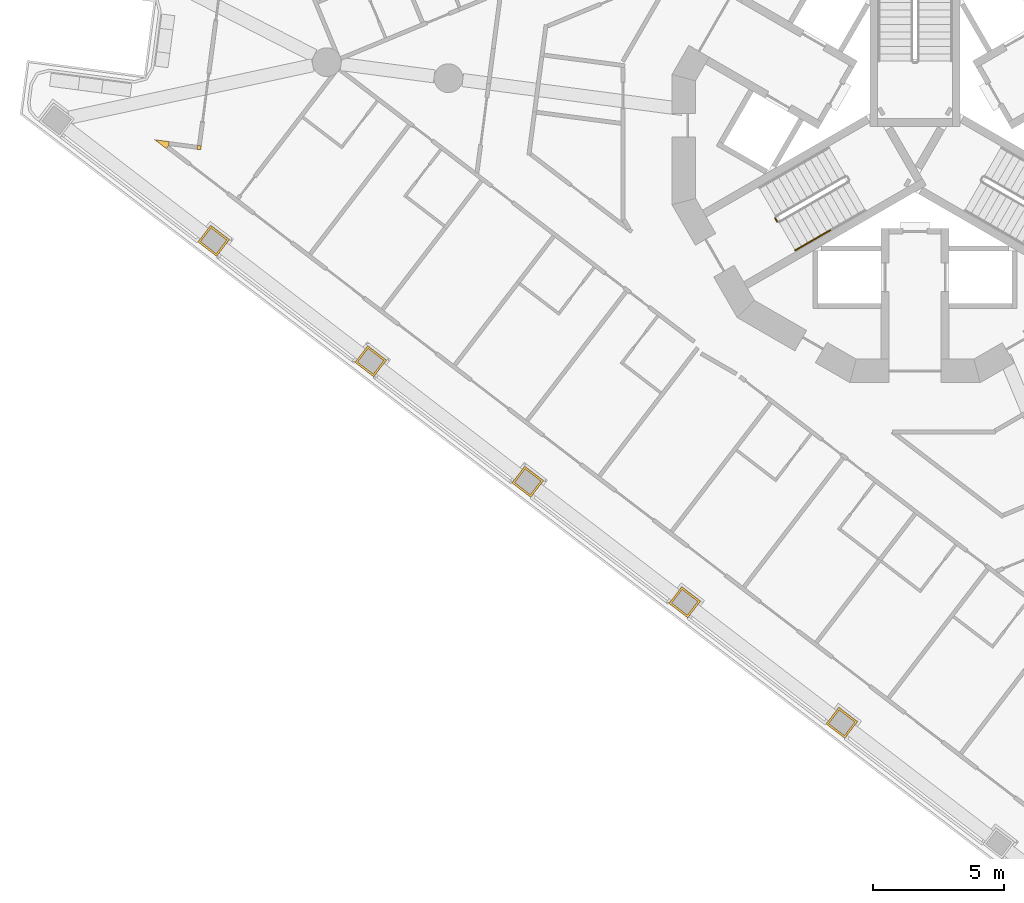
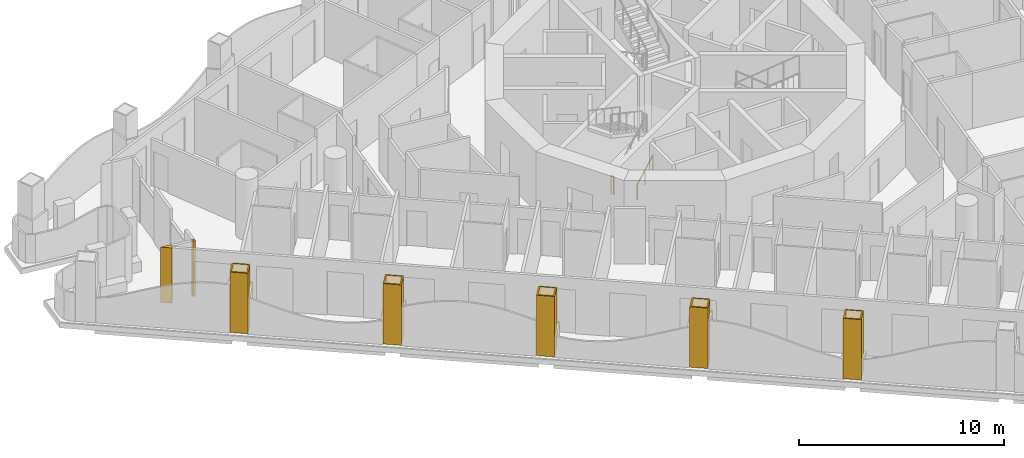
# One storey, part 11 of 17: 7 coverings, 2 railings.
"""IFC4 building model written with IfcOpenShell, lengths in metres."""

import ifcopenshell
import ifcopenshell.guid

model = None  # the IFC model being written
_history = None  # IfcOwnerHistory: only IFC2X3 demands one
_inside = {}  # id of a spatial element -> (the spatial element, [elements in it])
_under = {}  # id of a project, library or spatial element -> (it, [spatial elements below it])
_declared = {}  # id of a project -> (the project, [libraries it declares])
_typed = {}  # id of a type object -> (the type object, [elements of that type])
_made_of = {}  # id of a material, layer set ... -> (it, [elements and type objects made of it])


def new_model(schema):
    """Start an empty IFC model of exactly this schema.

    Asked for "IFC4X3", IfcOpenShell would pick the latest addendum, in which some entities
    have other attributes; the version numbers below select the first issue.
    IFC2X3 requires an IfcOwnerHistory on every rooted entity: one is made here for all.
    """
    global model, _history
    if schema == "IFC4X3":
        model = ifcopenshell.file(schema_version=(4, 3, 0, 0))
    else:
        model = ifcopenshell.file(schema=schema)
    _inside.clear()
    _under.clear()
    _declared.clear()
    _typed.clear()
    _made_of.clear()
    _history = None
    if model.schema == "IFC2X3":
        org = make("IfcOrganization", Name="unknown")
        user = make(
            "IfcPersonAndOrganization",
            ThePerson=make("IfcPerson", FamilyName="unknown"),
            TheOrganization=org,
        )
        app = make(
            "IfcApplication",
            ApplicationDeveloper=org,
            Version="unknown",
            ApplicationFullName="unknown",
            ApplicationIdentifier="unknown",
        )
        _history = make(
            "IfcOwnerHistory",
            OwningUser=user,
            OwningApplication=app,
            ChangeAction="ADDED",
            CreationDate=0,
        )
    return model


def make(cls, **values):
    """One entity of the class cls with the attributes given. An attribute that is None is left unset."""
    return model.create_entity(
        cls, **{name: value for name, value in values.items() if value is not None}
    )


def rooted(cls, **values):
    """An entity with a GlobalId (a new one), such as an element, a storey or a relation."""
    return make(cls, GlobalId=ifcopenshell.guid.new(), OwnerHistory=_history, **values)


def si_unit(unit_type, name, prefix=None):
    """IfcSIUnit, for example si_unit("LENGTHUNIT", "METRE", prefix="MILLI")."""
    return make("IfcSIUnit", UnitType=unit_type, Prefix=prefix, Name=name)


def assignment(units):
    """IfcUnitAssignment: the units of a project."""
    return None if units is None else make("IfcUnitAssignment", Units=units)


def point(xyz):
    """IfcCartesianPoint."""
    return None if xyz is None else make("IfcCartesianPoint", Coordinates=xyz)


def direction(xyz):
    """IfcDirection."""
    return None if xyz is None else make("IfcDirection", DirectionRatios=xyz)


def frame(location, z_axis=None, x_axis=None):
    """IfcAxis2Placement3D, a coordinate frame: its origin and axes. An axis left out is left unset."""
    return make(
        "IfcAxis2Placement3D",
        Location=point(location),
        Axis=direction(z_axis),
        RefDirection=direction(x_axis),
    )


def frame_2d(location, x_axis=None):
    """IfcAxis2Placement2D, a coordinate frame in the plane: its origin and x axis."""
    return make(
        "IfcAxis2Placement2D", Location=point(location), RefDirection=direction(x_axis)
    )


def origin():
    """The frame at (0, 0, 0) with its axes left unset."""
    return frame((0.0, 0.0, 0.0))


def origin_2d():
    """The frame at (0, 0) in the plane with its x axis left unset."""
    return frame_2d((0.0, 0.0))


def place(relative_to, where):
    """IfcLocalPlacement: puts the frame where relative to a parent placement (None: the world)."""
    return make(
        "IfcLocalPlacement", PlacementRelTo=relative_to, RelativePlacement=where
    )


def context(
    kind, dimensions, precision=None, world=None, true_north=None, identifier=None
):
    """IfcGeometricRepresentationContext, for example the 3D "Model" context."""
    return make(
        "IfcGeometricRepresentationContext",
        ContextIdentifier=identifier,
        ContextType=kind,
        CoordinateSpaceDimension=dimensions,
        Precision=precision,
        WorldCoordinateSystem=world,
        TrueNorth=true_north,
    )


def subcontext(parent, identifier, kind, view, scale=None):
    """IfcGeometricRepresentationSubContext, for example "Body" below "Model"."""
    return make(
        "IfcGeometricRepresentationSubContext",
        ContextIdentifier=identifier,
        ContextType=kind,
        ParentContext=parent,
        TargetScale=scale,
        TargetView=view,
    )


def project(units=None, contexts=None):
    """IfcProject with its units and contexts."""
    return rooted(
        "IfcProject",
        Name="project",
        RepresentationContexts=contexts,
        UnitsInContext=assignment(units),
    )


def spatial(cls, under=None, at=None, **own):
    """A site, building, storey or space (cls), placed at a placement, below another one or the project."""
    s = rooted(cls, ObjectPlacement=at, **own)
    if under is not None:
        _under.setdefault(under.id(), (under, []))[1].append(s)
    return s


def polyline(points):
    """IfcPolyline through the points."""
    return make("IfcPolyline", Points=[point(p) for p in points])


def profile(cls, at=None, kind="AREA", **sizes):
    """A parametric profile (cls). Its sizes go by their IFC names, for example OverallWidth=200.0."""
    return make(cls, ProfileType=kind, Position=at, **sizes)


def circle(**sizes):
    """IfcCircleProfileDef."""
    return profile("IfcCircleProfileDef", **sizes)


def outline(outer, holes=None, kind="AREA"):
    """IfcArbitraryClosedProfileDef: a profile drawn as a closed curve; with holes, ...WithVoids."""
    if holes is None:
        return make("IfcArbitraryClosedProfileDef", ProfileType=kind, OuterCurve=outer)
    return make(
        "IfcArbitraryProfileDefWithVoids",
        ProfileType=kind,
        OuterCurve=outer,
        InnerCurves=holes,
    )


def extrude(swept, where, along, depth):
    """IfcExtrudedAreaSolid: the profile swept, set in the frame where, extruded along a direction by depth."""
    return make(
        "IfcExtrudedAreaSolid",
        SweptArea=swept,
        Position=where,
        ExtrudedDirection=direction(along),
        Depth=depth,
    )


def shape(context_of_items, identifier, shape_type, items):
    """IfcShapeRepresentation: the items that make up one representation, for example the "Body"."""
    return make(
        "IfcShapeRepresentation",
        ContextOfItems=context_of_items,
        RepresentationIdentifier=identifier,
        RepresentationType=shape_type,
        Items=items,
    )


def material(Name=None, Category=None):
    """IfcMaterial."""
    return make("IfcMaterial", Name=Name, Category=Category)


def layer(
    of_material, thickness, ventilated=None, Name=None, Category=None, Priority=None
):
    """IfcMaterialLayer: one layer of a wall or slab, of a material (None: an air gap)."""
    return make(
        "IfcMaterialLayer",
        Material=of_material,
        LayerThickness=thickness,
        IsVentilated=ventilated,
        Name=Name,
        Category=Category,
        Priority=Priority,
    )


def layer_set(layers, Name=None):
    """IfcMaterialLayerSet."""
    return make("IfcMaterialLayerSet", MaterialLayers=layers, LayerSetName=Name)


def made_of(thing, what):
    """Note that an element or type object is made of a material, layer set ...; save() writes the relation."""
    if what is not None:
        _made_of.setdefault(what.id(), (what, []))[1].append(thing)
    return thing


def type_object(cls, material=None, **own):
    """A type object (cls), such as IfcWallType, which elements share."""
    return made_of(rooted(cls, **own), material)


def element(
    cls,
    number,
    at=None,
    inside=None,
    cuts=None,
    type_object=None,
    material=None,
    context=None,
    identifier="Body",
    shape_type=None,
    held_by="IfcProductDefinitionShape",
    body=None,
    shapes=None,
    **own,
):
    """One element of the class cls, such as IfcWall. Its Tag is "e" and its number.

    at: its placement. inside: the storey or other place that contains it. cuts: it is an
    opening in that element (IfcRelVoidsElement). A single representation is given by context,
    identifier, shape_type and body (its items); several are given by shapes. held_by: the class
    of the entity that holds the representations. save() writes the other relations.
    """
    e = rooted(cls, Tag="e%d" % number, ObjectPlacement=at, **own)
    if body is not None:
        shapes = [shape(context, identifier, shape_type, body)]
    if shapes is not None:
        e.Representation = make(held_by, Representations=shapes)
    if inside is not None:
        _inside.setdefault(inside.id(), (inside, []))[1].append(e)
    if cuts is not None:
        rooted(
            "IfcRelVoidsElement", RelatingBuildingElement=cuts, RelatedOpeningElement=e
        )
    if type_object is not None:
        _typed.setdefault(type_object.id(), (type_object, []))[1].append(e)
    return made_of(e, material)


def aggregate(whole, parts):
    """IfcRelAggregates: a whole, such as a stair, and the parts it consists of."""
    return rooted("IfcRelAggregates", RelatingObject=whole, RelatedObjects=parts)


def save(model, path):
    """Write the relations noted so far, then the file.

    IfcRelAggregates (storeys below a building ...), IfcRelContainedInSpatialStructure (elements
    in a storey), IfcRelDefinesByType, IfcRelAssociatesMaterial and IfcRelDeclares: one each for
    every whole, place, type object, material and project.
    """
    for whole, parts in _under.values():
        aggregate(whole, parts)
    for where, things in _inside.values():
        rooted(
            "IfcRelContainedInSpatialStructure",
            RelatedElements=things,
            RelatingStructure=where,
        )
    for kind, things in _typed.values():
        rooted("IfcRelDefinesByType", RelatedObjects=things, RelatingType=kind)
    for what, things in _made_of.values():
        rooted("IfcRelAssociatesMaterial", RelatedObjects=things, RelatingMaterial=what)
    for by, libraries in _declared.values():
        rooted("IfcRelDeclares", RelatingContext=by, RelatedDefinitions=libraries)
    model.write(path)


model = new_model("IFC4")

# Units and contexts
model_context = context("Model", 3, precision=1e-05, world=origin(), true_north=direction((0.0, 1.0)))
body_context = subcontext(model_context, "Body", "Model", "MODEL_VIEW")
ifc_project = project(units=[si_unit("LENGTHUNIT", "METRE"), si_unit("AREAUNIT", "SQUARE_METRE"), si_unit("VOLUMEUNIT", "CUBIC_METRE"), si_unit("PLANEANGLEUNIT", "RADIAN"), si_unit("MASSUNIT", "GRAM", prefix="KILO")], contexts=[model_context])

# Site, building, storey
site_placement = place(None, origin())
site = spatial("IfcSite", under=ifc_project, at=site_placement, CompositionType="ELEMENT")
building_placement = place(site_placement, origin())
building = spatial("IfcBuilding", under=site, at=building_placement, Name="Trine Commons Tower", CompositionType="ELEMENT")
storey_placement = place(building_placement, frame((0.0, 0.0, 149.39990234375)))
storey = spatial("IfcBuildingStorey", under=building, at=storey_placement, Name="L38", CompositionType="ELEMENT", Elevation=149.39990234375)

# Coverings
ifc_material_1 = material(Name="Aluminium-framed insulated wall panel", Category="aluminium")
ifc_layer_1 = layer(ifc_material_1, 0.14990234375)
ifc_layer_set_1 = layer_set([ifc_layer_1], Name="Aluminium-framed insulated wall panel")
covering_type_1 = type_object("IfcCoveringType", Name="Glazing corner post, aluminium", PredefinedType="CLADDING", material=ifc_layer_set_1)
covering_1_placement = place(storey_placement, origin())
element("IfcCovering", 1, at=covering_1_placement, inside=storey, type_object=covering_type_1, Name="Glazing corner post 4-01", PredefinedType="CLADDING", context=body_context, shape_type="SweptSolid", body=[
    extrude(outline(polyline([(51.43359375, 62.15576171875), (51.52490234375, 62.27490234375), (51.54443359375, 62.423583984375), (50.989501953125, 62.49658203125), (51.43359375, 62.15576171875)])), origin(), (0.0, 0.0, 1.0), 3.300048828125),
])
covering_2_placement = place(storey_placement, origin())
element("IfcCovering", 2, at=covering_2_placement, inside=storey, type_object=covering_type_1, Name="Glazing corner post 4-02", PredefinedType="CLADDING", context=body_context, shape_type="SweptSolid", body=[
    extrude(outline(polyline([(52.601318359375, 62.133056640625), (52.75, 62.113525390625), (52.76953125, 62.26220703125), (52.620849609375, 62.28173828125), (52.601318359375, 62.133056640625)])), origin(), (0.0, 0.0, 1.0), 3.300048828125),
])
ifc_material_2 = material(Name="Limestone, honed", Category="masonry")
ifc_layer_2 = layer(ifc_material_2, 0.074951171875)
ifc_layer_set_2 = layer_set([ifc_layer_2], Name="Limestone, honed")
covering_type_2 = type_object("IfcCoveringType", Name="Limestone column cladding 75", PredefinedType="CLADDING", material=ifc_layer_set_2)
covering_3_placement = place(storey_placement, origin())
element("IfcCovering", 3, at=covering_3_placement, inside=storey, type_object=covering_type_2, Name="Limestone pier cladding 4-03", PredefinedType="CLADDING", context=body_context, shape_type="SweptSolid", body=[
    extrude(outline(polyline([(77.092041015625, 40.84130859375), (76.60498046875, 40.206787109375), (77.319091796875, 39.65869140625), (77.805908203125, 40.29345703125), (77.092041015625, 40.84130859375)]), holes=[polyline([(77.105712890625, 40.736083984375), (76.710205078125, 40.220458984375), (77.30517578125, 39.763916015625), (77.700927734375, 40.27978515625), (77.105712890625, 40.736083984375)])]), origin(), (0.0, 0.0, 1.0), 3.60009765625),
])
covering_4_placement = place(storey_placement, origin())
element("IfcCovering", 4, at=covering_4_placement, inside=storey, type_object=covering_type_2, Name="Limestone pier cladding 4-04", PredefinedType="CLADDING", context=body_context, shape_type="SweptSolid", body=[
    extrude(outline(polyline([(71.1005859375, 45.438720703125), (70.61376953125, 44.803955078125), (71.32763671875, 44.256103515625), (71.814697265625, 44.890869140625), (71.1005859375, 45.438720703125)]), holes=[polyline([(71.114501953125, 45.33349609375), (70.71875, 44.81787109375), (71.31396484375, 44.361328125), (71.709716796875, 44.876953125), (71.114501953125, 45.33349609375)])]), origin(), (0.0, 0.0, 1.0), 3.60009765625),
])
covering_5_placement = place(storey_placement, origin())
element("IfcCovering", 5, at=covering_5_placement, inside=storey, type_object=covering_type_2, Name="Limestone pier cladding 4-05", PredefinedType="CLADDING", context=body_context, shape_type="SweptSolid", body=[
    extrude(outline(polyline([(65.109375, 50.035888671875), (64.622314453125, 49.4013671875), (65.336181640625, 48.853515625), (65.8232421875, 49.488037109375), (65.109375, 50.035888671875)]), holes=[polyline([(65.123046875, 49.930908203125), (64.727294921875, 49.4150390625), (65.322509765625, 48.95849609375), (65.71826171875, 49.474365234375), (65.123046875, 49.930908203125)])]), origin(), (0.0, 0.0, 1.0), 3.60009765625),
])
covering_6_placement = place(storey_placement, origin())
element("IfcCovering", 6, at=covering_6_placement, inside=storey, type_object=covering_type_2, Name="Limestone pier cladding 4-06", PredefinedType="CLADDING", context=body_context, shape_type="SweptSolid", body=[
    extrude(outline(polyline([(59.117919921875, 54.63330078125), (58.631103515625, 53.998779296875), (59.344970703125, 53.45068359375), (59.83203125, 54.08544921875), (59.117919921875, 54.63330078125)]), holes=[polyline([(59.1318359375, 54.5283203125), (58.736083984375, 54.012451171875), (59.331298828125, 53.555908203125), (59.726806640625, 54.07177734375), (59.1318359375, 54.5283203125)])]), origin(), (0.0, 0.0, 1.0), 3.60009765625),
])
covering_7_placement = place(storey_placement, origin())
element("IfcCovering", 7, at=covering_7_placement, inside=storey, type_object=covering_type_2, Name="Limestone pier cladding 4-07", PredefinedType="CLADDING", context=body_context, shape_type="SweptSolid", body=[
    extrude(outline(polyline([(53.126708984375, 59.230712890625), (52.6396484375, 58.595947265625), (53.353515625, 58.048095703125), (53.840576171875, 58.682861328125), (53.126708984375, 59.230712890625)]), holes=[polyline([(53.140380859375, 59.12548828125), (52.74462890625, 58.60986328125), (53.33984375, 58.1533203125), (53.735595703125, 58.6689453125), (53.140380859375, 59.12548828125)])]), origin(), (0.0, 0.0, 1.0), 3.60009765625),
])

# Railings
ifc_material_3 = material(Name="Stainless steel balustrade", Category="steel")
railing_type_1 = type_object("IfcRailingType", Name="Stair guard, steel balustrade 1100", PredefinedType="GUARDRAIL", material=ifc_material_3)
railing_1_placement = place(storey_placement, frame((74.73681640625, 59.374755859375, 0.0)))
element("IfcRailing", 8, at=railing_1_placement, inside=storey, type_object=railing_type_1, Name="L38 ST2B stair guard 4", PredefinedType="GUARDRAIL", context=body_context, shape_type="SweptSolid", body=[
    extrude(circle(Radius=0.02392578125, at=origin_2d()), frame((0.0, 0.0, 1.076171875), z_axis=(-0.499816412211, 0.866131372301, 0.0), x_axis=(-0.866131372301, -0.499816412211, 0.0)), (0.0, 0.0, 1.0), 0.14990234375),
    extrude(circle(Radius=0.02099609375, at=origin_2d()), origin(), (0.0, 0.0, 1.0), 1.052001953125),
    extrude(circle(Radius=0.02099609375, at=origin_2d()), frame((-0.074951171875, 0.1298828125, 0.0)), (0.0, 0.0, 1.0), 1.052001953125),
])
ifc_material_4 = material(Name="Stainless steel handrail", Category="steel")
railing_type_2 = type_object("IfcRailingType", Name="Stair handrail, steel 900", PredefinedType="HANDRAIL", material=ifc_material_4)
railing_2_placement = place(storey_placement, frame((75.43017578125, 58.27392578125, 0.150146484375)))
element("IfcRailing", 9, at=railing_2_placement, inside=storey, type_object=railing_type_2, Name="L38 ST2B stair handrail 1", PredefinedType="HANDRAIL", context=body_context, shape_type="SweptSolid", body=[
    extrude(circle(Radius=0.02099609375, at=origin_2d()), frame((0.0, 0.0, 0.87890625), z_axis=(0.76340495495, 0.440743040072, 0.472184759798), x_axis=(-0.499992328818, 0.866029832698, 0.0)), (0.0, 0.0, 1.0), 1.7470703125),
    extrude(circle(Radius=0.01513671875, at=origin_2d()), origin(), (0.0, 0.0, 1.0), 0.85791015625),
    extrude(circle(Radius=0.01513671875, at=origin_2d()), frame((0.6669921875, 0.385009765625, 0.41259765625)), (0.0, 0.0, 1.0), 0.85791015625),
    extrude(circle(Radius=0.01513671875, at=origin_2d()), frame((1.333740234375, 0.77001953125, 0.824951171875)), (0.0, 0.0, 1.0), 0.85791015625),
])

save(model, "model.ifc")
